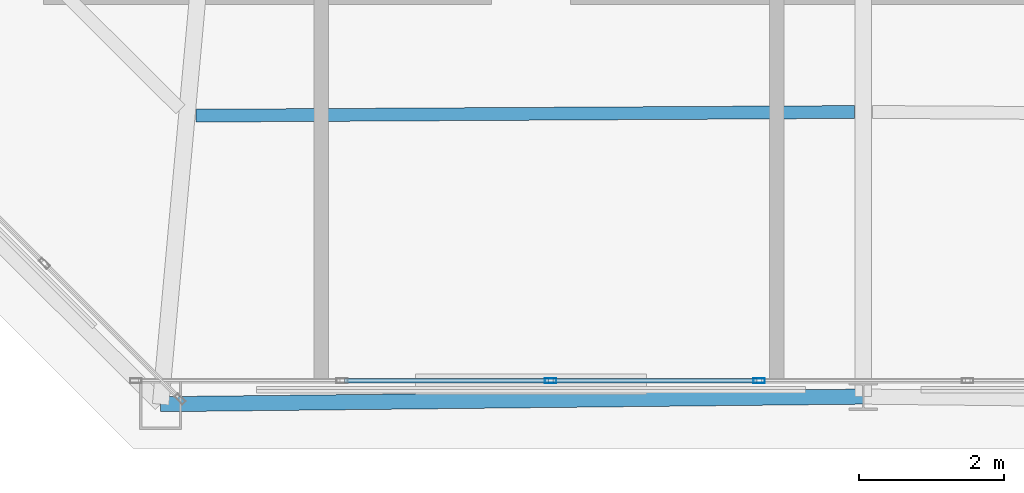
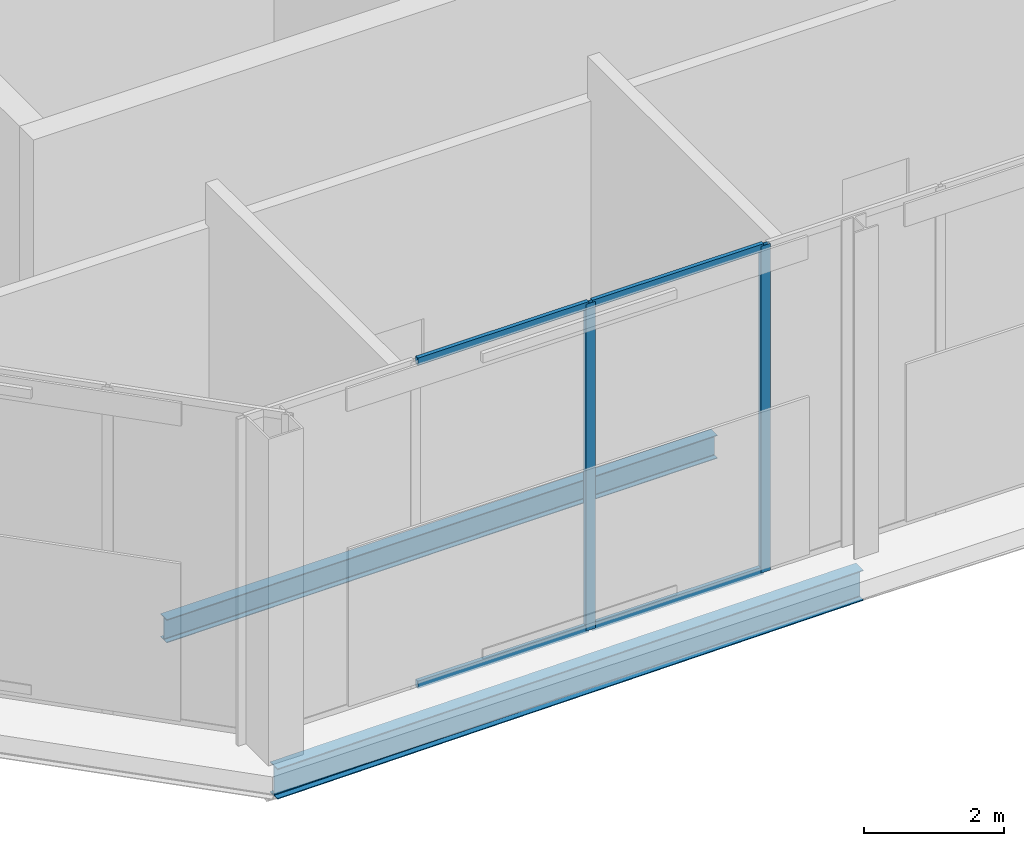
# One storey, part 3 of 20: 6 members, 2 beams, 1 element without a shape of its own.
"""IFC4 building model written with IfcOpenShell, lengths in metres."""

from ifc_helpers import new_model, si_unit, direction, frame, origin, origin_2d, place, context, subcontext, project, spatial, hollow_rectangle, i_section, extrude, material, layer, layer_set, material_profile, profile_set, type_object, element, aggregate, save


model = new_model("IFC4")

# Units and contexts
model_context = context("Model", 3, precision=1e-05, world=origin(), true_north=direction((0.0, 1.0)))
body_context = subcontext(model_context, "Body", "Model", "MODEL_VIEW")
ifc_project = project(units=[si_unit("LENGTHUNIT", "METRE"), si_unit("AREAUNIT", "SQUARE_METRE"), si_unit("VOLUMEUNIT", "CUBIC_METRE"), si_unit("PLANEANGLEUNIT", "RADIAN"), si_unit("MASSUNIT", "GRAM", prefix="KILO")], contexts=[model_context])

# Site, building, storey
site_placement = place(None, origin())
site = spatial("IfcSite", under=ifc_project, at=site_placement, CompositionType="ELEMENT")
building_placement = place(site_placement, origin())
building = spatial("IfcBuilding", under=site, at=building_placement, Name="Caelvoria Tower", CompositionType="ELEMENT")
storey_placement = place(building_placement, frame((0.0, 0.0, 284.199951171875)))
storey = spatial("IfcBuildingStorey", under=building, at=storey_placement, Name="C1", CompositionType="ELEMENT", Elevation=284.199951171875)

# Curtain wall, members
ifc_material_1 = material(Name="Anodised Bronze Aluminium and Low-E Glass", Category="aluminium")
ifc_layer = layer(ifc_material_1, 0.179931640625, Name="Anodised Bronze Aluminium and Low-E Glass")
ifc_layer_set = layer_set([ifc_layer], Name="CW System 6 Slanted Crown Bronze Screen Facade - Anodised Bronze Aluminium and Low-E Glass")
curtain_wall_type = type_object("IfcCurtainWallType", Name="CW System 6 Slanted Crown Bronze Screen Facade", PredefinedType="NOTDEFINED", material=ifc_layer_set)
curtain_wall_placement = place(storey_placement, origin())
curtain_wall = element("IfcCurtainWall", 1, at=curtain_wall_placement, inside=storey, type_object=curtain_wall_type, Name="CW-06 Curtain Wall C1-E0", PredefinedType="NOTDEFINED")
ifc_material_2 = material(Name="Anodised Bronze Architectural Aluminium", Category="aluminium")
ifc_material_profile_1 = material_profile(ifc_material_2, hollow_rectangle(XDim=0.06494140625, YDim=0.159912109375, WallThickness=0.00390625, at=origin_2d()), Name="Anodised Bronze Architectural Aluminium")
ifc_profile_set_1 = profile_set([ifc_material_profile_1], Name="CW_MULL_65X160 - Anodised Bronze Architectural Aluminium")
member_type_1 = type_object("IfcMemberType", Name="Curtain Wall Mullion 65x160 Bronze Aluminium", PredefinedType="MULLION", material=ifc_profile_set_1)
member_1_placement = place(storey_placement, frame((41.67138671875, 16.340087890625, 0.0), z_axis=(0.0, 0.0, 1.0), x_axis=(0.0, 1.0, 0.0)))
member_1 = element("IfcMember", 2, at=member_1_placement, type_object=member_type_1, Name="CW-06 mullion 3", PredefinedType="MULLION", context=body_context, shape_type="SweptSolid", body=[
    extrude(hollow_rectangle(XDim=0.06494140625, YDim=0.159912109375, WallThickness=0.00390625, at=origin_2d()), origin(), (0.0, 0.0, 1.0), 5.699951171875),
])
member_2_placement = place(storey_placement, frame((44.55712890625, 16.340087890625, 0.0), z_axis=(0.0, 0.0, 1.0), x_axis=(0.0, 1.0, 0.0)))
member_2 = element("IfcMember", 3, at=member_2_placement, type_object=member_type_1, Name="CW-06 mullion 4", PredefinedType="MULLION", context=body_context, shape_type="SweptSolid", body=[
    extrude(hollow_rectangle(XDim=0.06494140625, YDim=0.159912109375, WallThickness=0.00390625, at=origin_2d()), origin(), (0.0, 0.0, 1.0), 5.699951171875),
])
ifc_material_profile_2 = material_profile(ifc_material_2, hollow_rectangle(XDim=0.06494140625, YDim=0.1298828125, WallThickness=0.00341796875, at=origin_2d()), Name="Anodised Bronze Architectural Aluminium")
ifc_profile_set_2 = profile_set([ifc_material_profile_2], Name="CW_TRAN_65X130 - Anodised Bronze Architectural Aluminium")
member_type_2 = type_object("IfcMemberType", Name="Curtain Wall Transom 65x130 Bronze Aluminium", PredefinedType="USERDEFINED", material=ifc_profile_set_2)
member_3_placement = place(storey_placement, frame((38.818115234375, 16.340087890625, 0.032470703125), z_axis=(1.0, 0.0, 0.0), x_axis=(0.0, 1.0, 0.0)))
member_3 = element("IfcMember", 4, at=member_3_placement, type_object=member_type_2, Name="CW-06 transom 2.1", ObjectType="TRANSOM", PredefinedType="USERDEFINED", context=body_context, shape_type="SweptSolid", body=[
    extrude(hollow_rectangle(XDim=0.06494140625, YDim=0.1298828125, WallThickness=0.00341796875, at=origin_2d()), origin(), (0.0, 0.0, 1.0), 2.82080078125),
])
member_4_placement = place(storey_placement, frame((38.818115234375, 16.340087890625, 5.66748046875), z_axis=(1.0, 0.0, 0.0), x_axis=(0.0, 1.0, 0.0)))
member_4 = element("IfcMember", 5, at=member_4_placement, type_object=member_type_2, Name="CW-06 transom 2.2", ObjectType="TRANSOM", PredefinedType="USERDEFINED", context=body_context, shape_type="SweptSolid", body=[
    extrude(hollow_rectangle(XDim=0.06494140625, YDim=0.1298828125, WallThickness=0.00341796875, at=origin_2d()), origin(), (0.0, 0.0, 1.0), 2.82080078125),
])
member_5_placement = place(storey_placement, frame((41.703857421875, 16.340087890625, 0.032470703125), z_axis=(1.0, 0.0, 0.0), x_axis=(0.0, 1.0, 0.0)))
member_5 = element("IfcMember", 6, at=member_5_placement, type_object=member_type_2, Name="CW-06 transom 3.1", ObjectType="TRANSOM", PredefinedType="USERDEFINED", context=body_context, shape_type="SweptSolid", body=[
    extrude(hollow_rectangle(XDim=0.06494140625, YDim=0.1298828125, WallThickness=0.00341796875, at=origin_2d()), origin(), (0.0, 0.0, 1.0), 2.82080078125),
])
member_6_placement = place(storey_placement, frame((41.703857421875, 16.340087890625, 5.66748046875), z_axis=(1.0, 0.0, 0.0), x_axis=(0.0, 1.0, 0.0)))
member_6 = element("IfcMember", 7, at=member_6_placement, type_object=member_type_2, Name="CW-06 transom 3.2", ObjectType="TRANSOM", PredefinedType="USERDEFINED", context=body_context, shape_type="SweptSolid", body=[
    extrude(hollow_rectangle(XDim=0.06494140625, YDim=0.1298828125, WallThickness=0.00341796875, at=origin_2d()), origin(), (0.0, 0.0, 1.0), 2.82080078125),
])
aggregate(curtain_wall, [member_1, member_2, member_3, member_4, member_5, member_6])

# Beams
ifc_material_3 = material(Name="Structural Steel ASTM A992 Gr.50", Category="steel")
ifc_material_profile_3 = material_profile(ifc_material_3, i_section(OverallWidth=0.177978515625, OverallDepth=0.406982421875, WebThickness=0.0078125, FlangeThickness=0.0126953125, FilletRadius=0.013916015625, at=origin_2d()), Name="Structural Steel ASTM A992 Gr.50")
ifc_profile_set_3 = profile_set([ifc_material_profile_3], Name="W410X60 - Structural Steel ASTM A992 Gr.50")
beam_type_1 = type_object("IfcBeamType", Name="Secondary Floor Beam W410X60", PredefinedType="BEAM", material=ifc_profile_set_3)
beam_1_placement = place(storey_placement, frame((36.76220703125, 20.00830078125, -0.50341796875), z_axis=(0.999984324209, 0.005599226377, 0.0), x_axis=(-0.005599226377, 0.999984324209, 0.0)))
element("IfcBeam", 8, at=beam_1_placement, inside=storey, type_object=beam_type_1, Name="Secondary Floor Beam C1-00", PredefinedType="BEAM", context=body_context, shape_type="SweptSolid", body=[
    extrude(i_section(OverallWidth=0.177978515625, OverallDepth=0.406982421875, WebThickness=0.0078125, FlangeThickness=0.0126953125, FilletRadius=0.013916015625, at=origin_2d()), origin(), (0.0, 0.0, 1.0), 9.113037109375),
])
ifc_material_profile_4 = material_profile(ifc_material_3, i_section(OverallWidth=0.208984375, OverallDepth=0.532958984375, WebThickness=0.01025390625, FlangeThickness=0.015625, FilletRadius=0.01611328125, at=origin_2d()), Name="Structural Steel ASTM A992 Gr.50")
ifc_profile_set_4 = profile_set([ifc_material_profile_4], Name="W530X92 - Structural Steel ASTM A992 Gr.50")
beam_type_2 = type_object("IfcBeamType", Name="Upper Zone Spandrel W530X92", PredefinedType="BEAM", material=ifc_profile_set_4)
beam_2_placement = place(storey_placement, frame((36.274169921875, 16.01513671875, -0.56640625), z_axis=(0.999941750029, 0.010793356742, 0.0), x_axis=(-0.010793356742, 0.999941750029, 0.0)))
element("IfcBeam", 9, at=beam_2_placement, inside=storey, type_object=beam_type_2, Name="Perimeter Spandrel Girder C1-00", PredefinedType="BEAM", context=body_context, shape_type="SweptSolid", body=[
    extrude(i_section(OverallWidth=0.208984375, OverallDepth=0.532958984375, WebThickness=0.01025390625, FlangeThickness=0.015625, FilletRadius=0.01611328125, at=origin_2d()), origin(), (0.0, 0.0, 1.0), 9.726318359375),
])

save(model, "model.ifc")
